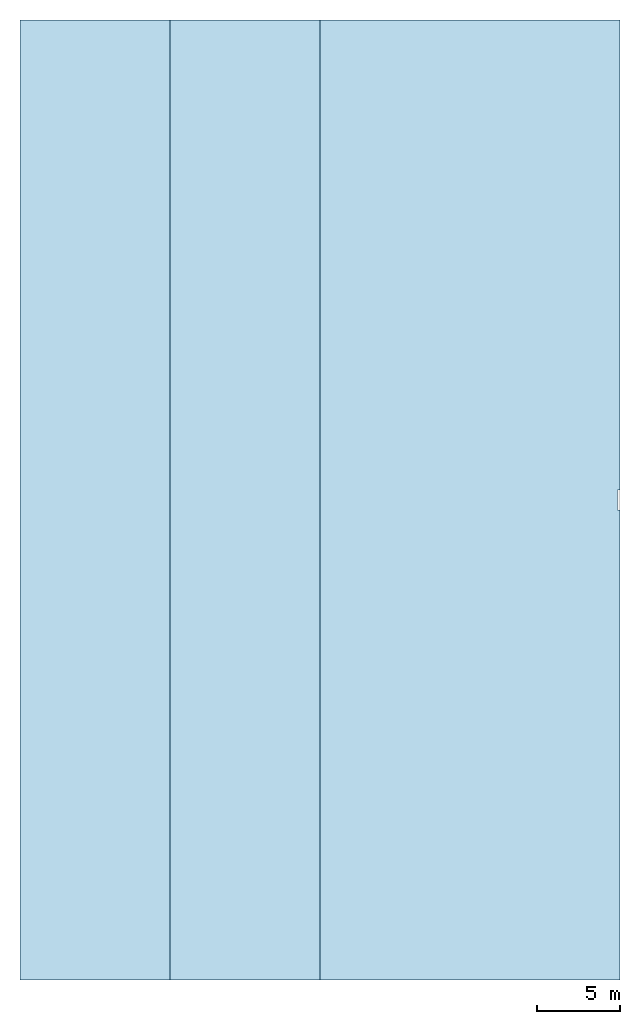
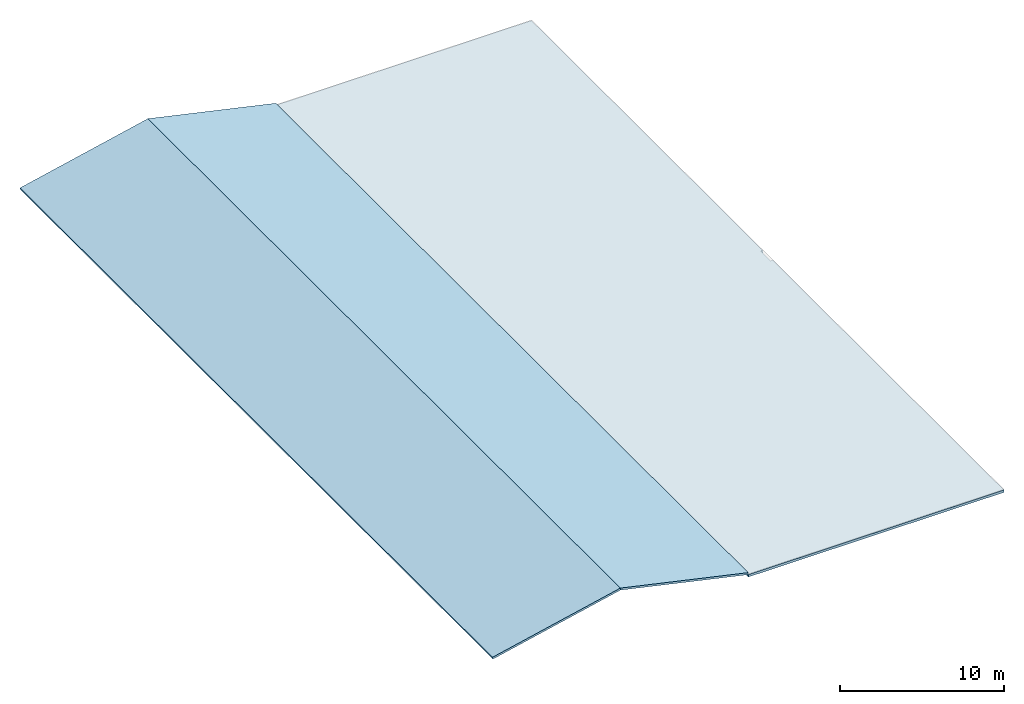
# One storey, part 1 of 2: 3 slabs.
"""IFC4 building model written with IfcOpenShell, lengths in metres."""

from ifc_helpers import new_model, si_unit, direction, frame, origin, place, context, subcontext, project, spatial, polyline, outline, extrude, material, layer, layer_set, type_object, element, save


model = new_model("IFC4")

# Units and contexts
model_context = context("Model", 3, precision=1e-05, world=origin(), true_north=direction((0.0, 1.0)))
body_context = subcontext(model_context, "Body", "Model", "MODEL_VIEW")
ifc_project = project(units=[si_unit("LENGTHUNIT", "METRE"), si_unit("AREAUNIT", "SQUARE_METRE"), si_unit("VOLUMEUNIT", "CUBIC_METRE"), si_unit("PLANEANGLEUNIT", "RADIAN"), si_unit("MASSUNIT", "GRAM", prefix="KILO")], contexts=[model_context])

# Site, building, storey
site_placement = place(None, origin())
site = spatial("IfcSite", under=ifc_project, at=site_placement, CompositionType="ELEMENT")
building_placement = place(site_placement, origin())
building = spatial("IfcBuilding", under=site, at=building_placement, Name="Kemerveld Promenade Tramway Depot", CompositionType="ELEMENT")
storey_placement = place(building_placement, frame((0.0, 0.0, 23.39990234375)))
storey = spatial("IfcBuildingStorey", under=building, at=storey_placement, Name="Roof", CompositionType="ELEMENT", Elevation=23.39990234375)

# Slabs
ifc_material = material(Name="Concrete C35/45", Category="concrete")
ifc_layer_1 = layer(ifc_material, 0.179931640625)
ifc_layer_set_1 = layer_set([ifc_layer_1], Name="SL-RF01")
slab_type_1 = type_object("IfcSlabType", Name="SL-RF01", PredefinedType="ROOF", material=ifc_layer_set_1)
slab_placement = place(storey_placement, frame((0.0, 0.0, -0.179931640625)))
element("IfcSlab", 1, at=slab_placement, inside=storey, type_object=slab_type_1, Name="SLB-RF-V5-FLAT", PredefinedType="ROOF", context=body_context, shape_type="SweptSolid", body=[
    extrude(outline(polyline([(18.0, 0.0), (36.0, 0.0), (36.0, 28.199951171875), (35.860107421875, 28.199951171875), (35.860107421875, 29.39990234375), (36.0, 29.39990234375), (36.0, 57.60009765625), (18.0, 57.60009765625), (18.0, 0.0)])), origin(), (0.0, 0.0, 1.0), 0.179931640625),
])
ifc_layer_2 = layer(ifc_material, 0.14990234375)
ifc_layer_set_2 = layer_set([ifc_layer_2], Name="SL-RF03")
slab_type_2 = type_object("IfcSlabType", Name="SL-RF03", PredefinedType="ROOF", material=ifc_layer_set_2)
for number, where, z_axis, x_axis, name in (
    (2, (0.0, 0.0, 0.150146484375), (-0.216930457819, 0.0, 0.976187060184), (0.976187060184, 0.0, 0.216930457819), "SLB-RF-V5-PW"),
    (3, (9.0, 0.0, 2.150146484375), (0.216930457819, 0.0, 0.976187060184), (0.976187060184, 0.0, -0.216930457819), "SLB-RF-V5-PE"),
):
    element("IfcSlab", number, at=place(storey_placement, frame(where, z_axis=z_axis, x_axis=x_axis)), inside=storey, type_object=slab_type_2, Name=name, PredefinedType="ROOF", context=body_context, shape_type="SweptSolid", body=[
        extrude(outline(polyline([(0.0, 0.0), (9.219544457292889, 0.0), (9.219544457292889, 57.600097656250014), (0.0, 57.600097656250014), (0.0, 0.0)])), origin(), (0.0, 0.0, -1.0), 0.14990234375),
    ])

save(model, "model.ifc")
